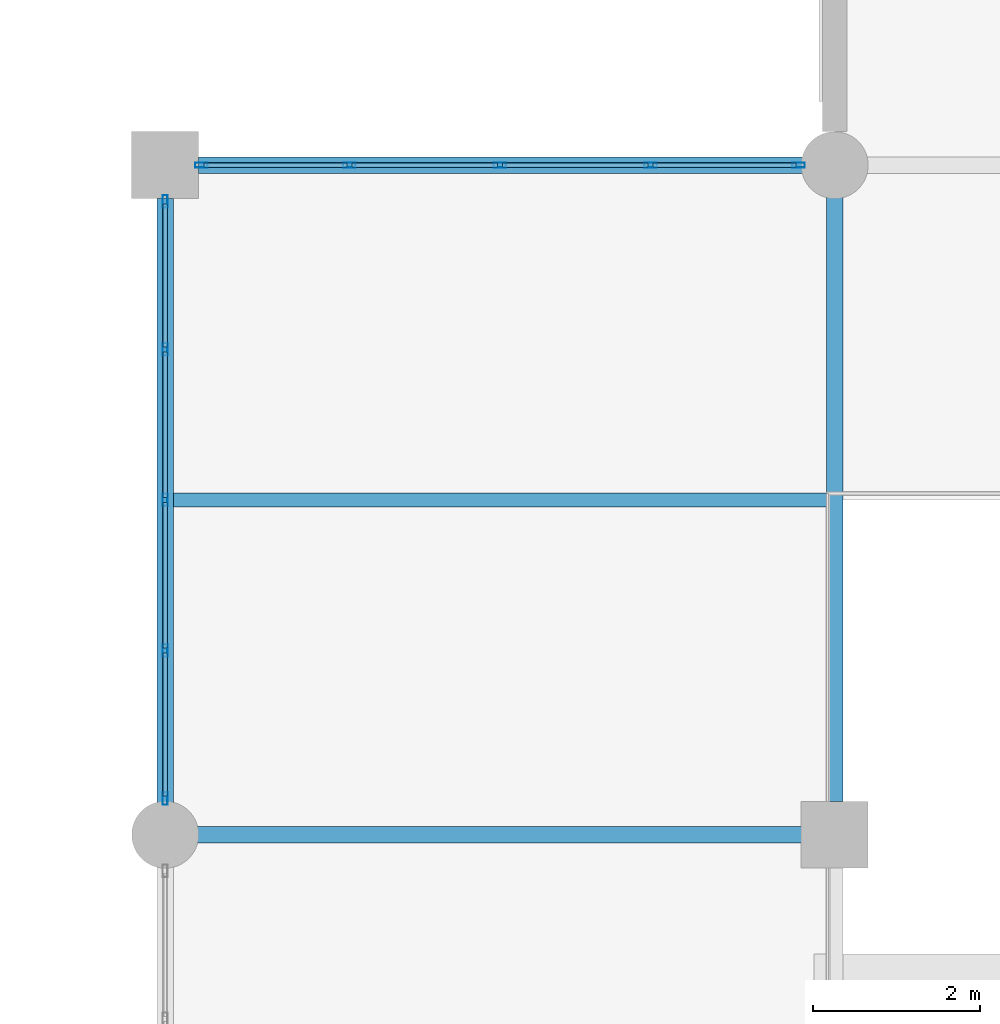
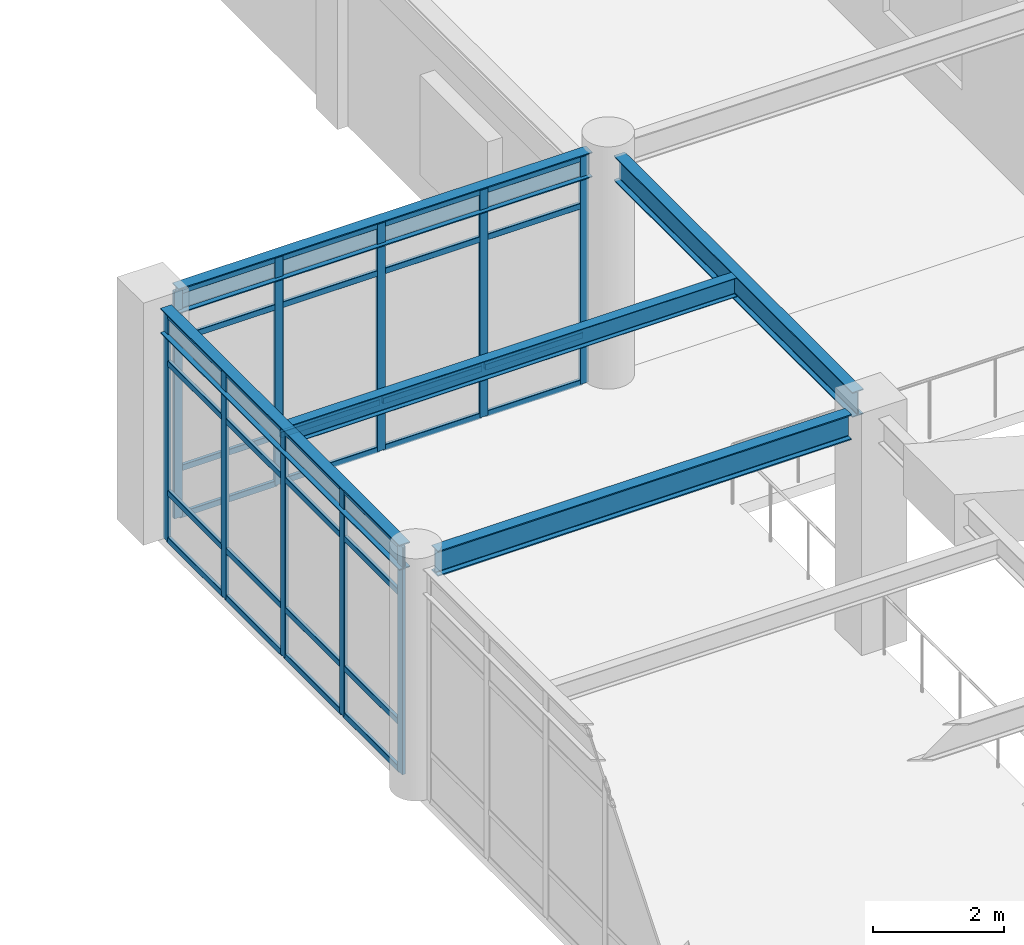
# One storey, part 35 of 78: 42 members, 5 beams, 2 elements without a shape of their own.
"""IFC4 building model written with IfcOpenShell, lengths in metres."""

from ifc_helpers import new_model, si_unit, direction, frame, origin, origin_2d, place, context, subcontext, project, spatial, hollow_rectangle, i_section, extrude, material, material_profile, profile_set, type_object, element, aggregate, save


model = new_model("IFC4")

# Units and contexts
model_context = context("Model", 3, precision=1e-05, world=origin(), true_north=direction((0.0, 1.0)))
body_context = subcontext(model_context, "Body", "Model", "MODEL_VIEW")
ifc_project = project(units=[si_unit("LENGTHUNIT", "METRE"), si_unit("AREAUNIT", "SQUARE_METRE"), si_unit("VOLUMEUNIT", "CUBIC_METRE"), si_unit("PLANEANGLEUNIT", "RADIAN"), si_unit("MASSUNIT", "GRAM", prefix="KILO")], contexts=[model_context])

# Site, building, storey
site_placement = place(None, origin())
site = spatial("IfcSite", under=ifc_project, at=site_placement, CompositionType="ELEMENT")
building_placement = place(site_placement, origin())
building = spatial("IfcBuilding", under=site, at=building_placement, Name="Solmirada Galleria", CompositionType="ELEMENT")
storey_placement = place(building_placement, frame((0.0, 0.0, 23.89990234375)))
storey = spatial("IfcBuildingStorey", under=building, at=storey_placement, Name="L05", CompositionType="ELEMENT", Elevation=23.89990234375)

# Beams
ifc_material_1 = material(Name="Steel S355 / ASTM A992 Grade 50", Category="steel")
ifc_material_profile_1 = material_profile(ifc_material_1, i_section(OverallWidth=0.194091796875, OverallDepth=0.468994140625, WebThickness=0.0126953125, FlangeThickness=0.0205078125, FilletRadius=0.013916015625, at=origin_2d()), Name="W18X71")
ifc_profile_set_1 = profile_set([ifc_material_profile_1], Name="Steel S355 / ASTM A992 Grade 50")
beam_type_1 = type_object("IfcBeamType", Name="BM-GIRD-W18B", PredefinedType="BEAM", material=ifc_profile_set_1)
beam_1_placement = place(storey_placement, frame((80.3359375, 64.0, 4.065673828125), z_axis=(1.0, 0.0, 0.0), x_axis=(0.0, 1.0, 0.0)))
element("IfcBeam", 1, at=beam_1_placement, inside=storey, type_object=beam_type_1, Name="Primary beam L06 X(80..88, 64)", PredefinedType="BEAM", context=body_context, shape_type="SweptSolid", body=[
    extrude(i_section(OverallWidth=0.194091796875, OverallDepth=0.468994140625, WebThickness=0.0126953125, FlangeThickness=0.0205078125, FilletRadius=0.013916015625, at=origin_2d()), origin(), (0.0, 0.0, 1.0), 7.26416015625),
])
ifc_material_profile_2 = material_profile(ifc_material_1, i_section(OverallWidth=0.193115234375, OverallDepth=0.466064453125, WebThickness=0.011474609375, FlangeThickness=0.01904296875, FilletRadius=0.013916015625, at=origin_2d()), Name="W18X65")
ifc_profile_set_2 = profile_set([ifc_material_profile_2], Name="Steel S355 / ASTM A992 Grade 50")
beam_type_2 = type_object("IfcBeamType", Name="BM-GIRD-W18C", PredefinedType="BEAM", material=ifc_profile_set_2)
for number, where, z_axis, x_axis, name in (
    (2, (80.39990234375, 72.0, 4.067138671875), (1.0, 0.0, 0.0), (0.0, 1.0, 0.0), "Primary beam L06 X(80..88, 72)"),
    (3, (80.0, 64.3359375, 4.067138671875), (0.0, 1.0, 0.0), (-1.0, 0.0, 0.0), "Primary girder L06 Y(80, 64..72)"),
    (4, (88.0, 64.39990234375, 4.067138671875), (0.0, 1.0, 0.0), (-1.0, 0.0, 0.0), "Primary girder L06 Y(88, 64..72)"),
):
    element("IfcBeam", number, at=place(storey_placement, frame(where, z_axis=z_axis, x_axis=x_axis)), inside=storey, type_object=beam_type_2, Name=name, PredefinedType="BEAM", context=body_context, shape_type="SweptSolid", body=[
        extrude(i_section(OverallWidth=0.193115234375, OverallDepth=0.466064453125, WebThickness=0.011474609375, FlangeThickness=0.01904296875, FilletRadius=0.013916015625, at=origin_2d()), origin(), (0.0, 0.0, 1.0), 7.26416015625),
    ])
ifc_material_profile_3 = material_profile(ifc_material_1, i_section(OverallWidth=0.1708984375, OverallDepth=0.35205078125, WebThickness=0.0068359375, FlangeThickness=0.009765625, FilletRadius=0.010986328125, at=origin_2d()), Name="W14X30")
ifc_profile_set_3 = profile_set([ifc_material_profile_3], Name="Steel S355 / ASTM A992 Grade 50")
beam_type_3 = type_object("IfcBeamType", Name="BM-JST-W14B", PredefinedType="JOIST", material=ifc_profile_set_3)
beam_2_placement = place(storey_placement, frame((80.096435546875, 68.0, 4.1240234375), z_axis=(1.0, 0.0, 0.0), x_axis=(0.0, 1.0, 0.0)))
element("IfcBeam", 5, at=beam_2_placement, inside=storey, type_object=beam_type_3, Name="Composite floor joist L06 (80..88, 68.0)", PredefinedType="JOIST", context=body_context, shape_type="SweptSolid", body=[
    extrude(i_section(OverallWidth=0.1708984375, OverallDepth=0.35205078125, WebThickness=0.0068359375, FlangeThickness=0.009765625, FilletRadius=0.010986328125, at=origin_2d()), origin(), (0.0, 0.0, 1.0), 7.80712890625),
])

# Curtain wall, members
ifc_material_2 = material(Name="Impact-resistant low-E double glazing", Category="glass")
curtain_wall_type = type_object("IfcCurtainWallType", Name="CW-FZ3-L05-B4-L072", PredefinedType="NOTDEFINED", material=ifc_material_2)
curtain_wall_1_placement = place(storey_placement, origin())
curtain_wall_1 = element("IfcCurtainWall", 6, at=curtain_wall_1_placement, inside=storey, type_object=curtain_wall_type, Name="Terrace and arcade storefront CW-L05-166", PredefinedType="NOTDEFINED")
ifc_material_3 = material(Name="Anodised aluminium framing", Category="aluminium")
ifc_material_profile_4 = material_profile(ifc_material_3, hollow_rectangle(XDim=0.06005859375, YDim=0.14990234375, WallThickness=0.00341796875, InnerFilletRadius=0.00341796875, OuterFilletRadius=0.007080078125, at=origin_2d()), Name="ALU-MULL-150X60")
ifc_profile_set_4 = profile_set([ifc_material_profile_4], Name="Anodised aluminium framing")
member_type_1 = type_object("IfcMemberType", Name="CW-MULL-150", PredefinedType="MULLION", material=ifc_profile_set_4)
member_1_placement = place(storey_placement, frame((80.0, 64.431884765625, 0.0), z_axis=(0.0, 0.0, 1.0), x_axis=(-1.0, 0.0, 0.0)))
member_1 = element("IfcMember", 7, at=member_1_placement, type_object=member_type_1, Name="CW33 mullion 1", PredefinedType="MULLION", context=body_context, shape_type="SweptSolid", body=[
    extrude(hollow_rectangle(XDim=0.06005859375, YDim=0.14990234375, WallThickness=0.00341796875, InnerFilletRadius=0.00341796875, OuterFilletRadius=0.007080078125, at=origin_2d()), origin(), (0.0, 0.0, 1.0), 4.22021484375),
])
member_2_placement = place(storey_placement, frame((80.0, 66.200927734375, 0.0), z_axis=(0.0, 0.0, 1.0), x_axis=(-1.0, 0.0, 0.0)))
member_2 = element("IfcMember", 8, at=member_2_placement, type_object=member_type_1, Name="CW33 mullion 2", PredefinedType="MULLION", context=body_context, shape_type="SweptSolid", body=[
    extrude(hollow_rectangle(XDim=0.06005859375, YDim=0.14990234375, WallThickness=0.00341796875, InnerFilletRadius=0.00341796875, OuterFilletRadius=0.007080078125, at=origin_2d()), origin(), (0.0, 0.0, 1.0), 4.22021484375),
])
member_3_placement = place(storey_placement, frame((80.0, 68.0, 0.0), z_axis=(0.0, 0.0, 1.0), x_axis=(-1.0, 0.0, 0.0)))
member_3 = element("IfcMember", 9, at=member_3_placement, type_object=member_type_1, Name="CW33 mullion 3", PredefinedType="MULLION", context=body_context, shape_type="SweptSolid", body=[
    extrude(hollow_rectangle(XDim=0.06005859375, YDim=0.14990234375, WallThickness=0.00341796875, InnerFilletRadius=0.00341796875, OuterFilletRadius=0.007080078125, at=origin_2d()), origin(), (0.0, 0.0, 1.0), 4.22021484375),
])
member_4_placement = place(storey_placement, frame((80.0, 69.799072265625, 0.0), z_axis=(0.0, 0.0, 1.0), x_axis=(-1.0, 0.0, 0.0)))
member_4 = element("IfcMember", 10, at=member_4_placement, type_object=member_type_1, Name="CW33 mullion 4", PredefinedType="MULLION", context=body_context, shape_type="SweptSolid", body=[
    extrude(hollow_rectangle(XDim=0.06005859375, YDim=0.14990234375, WallThickness=0.00341796875, InnerFilletRadius=0.00341796875, OuterFilletRadius=0.007080078125, at=origin_2d()), origin(), (0.0, 0.0, 1.0), 4.22021484375),
])
member_5_placement = place(storey_placement, frame((80.0, 71.568115234375, 0.0), z_axis=(0.0, 0.0, 1.0), x_axis=(-1.0, 0.0, 0.0)))
member_5 = element("IfcMember", 11, at=member_5_placement, type_object=member_type_1, Name="CW33 mullion 5", PredefinedType="MULLION", context=body_context, shape_type="SweptSolid", body=[
    extrude(hollow_rectangle(XDim=0.06005859375, YDim=0.14990234375, WallThickness=0.00341796875, InnerFilletRadius=0.00341796875, OuterFilletRadius=0.007080078125, at=origin_2d()), origin(), (0.0, 0.0, 1.0), 4.22021484375),
])

curtain_wall_2_placement = place(storey_placement, origin())
curtain_wall_2 = element("IfcCurtainWall", 12, at=curtain_wall_2_placement, inside=storey, type_object=curtain_wall_type, Name="Terrace and arcade storefront CW-L05-167", PredefinedType="NOTDEFINED")
member_6_placement = place(storey_placement, frame((80.431884765625, 72.0, 0.0), z_axis=(0.0, 0.0, 1.0), x_axis=(0.0, 1.0, 0.0)))
member_6 = element("IfcMember", 13, at=member_6_placement, type_object=member_type_1, Name="CW33 mullion 1", PredefinedType="MULLION", context=body_context, shape_type="SweptSolid", body=[
    extrude(hollow_rectangle(XDim=0.06005859375, YDim=0.14990234375, WallThickness=0.00341796875, InnerFilletRadius=0.00341796875, OuterFilletRadius=0.007080078125, at=origin_2d()), origin(), (0.0, 0.0, 1.0), 4.22021484375),
])
member_7_placement = place(storey_placement, frame((82.200927734375, 72.0, 0.0), z_axis=(0.0, 0.0, 1.0), x_axis=(0.0, 1.0, 0.0)))
member_7 = element("IfcMember", 14, at=member_7_placement, type_object=member_type_1, Name="CW33 mullion 2", PredefinedType="MULLION", context=body_context, shape_type="SweptSolid", body=[
    extrude(hollow_rectangle(XDim=0.06005859375, YDim=0.14990234375, WallThickness=0.00341796875, InnerFilletRadius=0.00341796875, OuterFilletRadius=0.007080078125, at=origin_2d()), origin(), (0.0, 0.0, 1.0), 4.22021484375),
])
member_8_placement = place(storey_placement, frame((84.0, 72.0, 0.0), z_axis=(0.0, 0.0, 1.0), x_axis=(0.0, 1.0, 0.0)))
member_8 = element("IfcMember", 15, at=member_8_placement, type_object=member_type_1, Name="CW33 mullion 3", PredefinedType="MULLION", context=body_context, shape_type="SweptSolid", body=[
    extrude(hollow_rectangle(XDim=0.06005859375, YDim=0.14990234375, WallThickness=0.00341796875, InnerFilletRadius=0.00341796875, OuterFilletRadius=0.007080078125, at=origin_2d()), origin(), (0.0, 0.0, 1.0), 4.22021484375),
])
member_9_placement = place(storey_placement, frame((85.799072265625, 72.0, 0.0), z_axis=(0.0, 0.0, 1.0), x_axis=(0.0, 1.0, 0.0)))
member_9 = element("IfcMember", 16, at=member_9_placement, type_object=member_type_1, Name="CW33 mullion 4", PredefinedType="MULLION", context=body_context, shape_type="SweptSolid", body=[
    extrude(hollow_rectangle(XDim=0.06005859375, YDim=0.14990234375, WallThickness=0.00341796875, InnerFilletRadius=0.00341796875, OuterFilletRadius=0.007080078125, at=origin_2d()), origin(), (0.0, 0.0, 1.0), 4.22021484375),
])
member_10_placement = place(storey_placement, frame((87.568115234375, 72.0, 0.0), z_axis=(0.0, 0.0, 1.0), x_axis=(0.0, 1.0, 0.0)))
member_10 = element("IfcMember", 17, at=member_10_placement, type_object=member_type_1, Name="CW33 mullion 5", PredefinedType="MULLION", context=body_context, shape_type="SweptSolid", body=[
    extrude(hollow_rectangle(XDim=0.06005859375, YDim=0.14990234375, WallThickness=0.00341796875, InnerFilletRadius=0.00341796875, OuterFilletRadius=0.007080078125, at=origin_2d()), origin(), (0.0, 0.0, 1.0), 4.22021484375),
])

# Member
ifc_material_profile_5 = material_profile(ifc_material_3, hollow_rectangle(XDim=0.06005859375, YDim=0.110107421875, WallThickness=0.003173828125, InnerFilletRadius=0.003173828125, OuterFilletRadius=0.00634765625, at=origin_2d()), Name="ALU-TRAN-110X60")
ifc_profile_set_5 = profile_set([ifc_material_profile_5], Name="Anodised aluminium framing")
member_type_2 = type_object("IfcMemberType", Name="CW-TRAN-110", PredefinedType="USERDEFINED", material=ifc_profile_set_5)
member_11_placement = place(storey_placement, frame((80.0, 64.4619140625, 0.030029296875), z_axis=(0.0, 1.0, 0.0), x_axis=(-1.0, 0.0, 0.0)))
member_11 = element("IfcMember", 18, at=member_11_placement, type_object=member_type_2, Name="CW33 transom 1.1", ObjectType="TRANSOM", PredefinedType="USERDEFINED", context=body_context, shape_type="SweptSolid", body=[
    extrude(hollow_rectangle(XDim=0.06005859375, YDim=0.110107421875, WallThickness=0.003173828125, InnerFilletRadius=0.003173828125, OuterFilletRadius=0.00634765625, at=origin_2d()), origin(), (0.0, 0.0, 1.0), 1.708984375),
])

member_12_placement = place(storey_placement, frame((80.0, 64.4619140625, 0.900146484375), z_axis=(0.0, 1.0, 0.0), x_axis=(-1.0, 0.0, 0.0)))
member_12 = element("IfcMember", 19, at=member_12_placement, type_object=member_type_2, Name="CW33 transom 1.2", ObjectType="TRANSOM", PredefinedType="USERDEFINED", context=body_context, shape_type="SweptSolid", body=[
    extrude(hollow_rectangle(XDim=0.06005859375, YDim=0.110107421875, WallThickness=0.003173828125, InnerFilletRadius=0.003173828125, OuterFilletRadius=0.00634765625, at=origin_2d()), origin(), (0.0, 0.0, 1.0), 1.708984375),
])

member_13_placement = place(storey_placement, frame((80.0, 64.4619140625, 3.31005859375), z_axis=(0.0, 1.0, 0.0), x_axis=(-1.0, 0.0, 0.0)))
member_13 = element("IfcMember", 20, at=member_13_placement, type_object=member_type_2, Name="CW33 transom 1.3", ObjectType="TRANSOM", PredefinedType="USERDEFINED", context=body_context, shape_type="SweptSolid", body=[
    extrude(hollow_rectangle(XDim=0.06005859375, YDim=0.110107421875, WallThickness=0.003173828125, InnerFilletRadius=0.003173828125, OuterFilletRadius=0.00634765625, at=origin_2d()), origin(), (0.0, 0.0, 1.0), 1.708984375),
])

member_14_placement = place(storey_placement, frame((80.0, 64.4619140625, 4.190185546875), z_axis=(0.0, 1.0, 0.0), x_axis=(-1.0, 0.0, 0.0)))
member_14 = element("IfcMember", 21, at=member_14_placement, type_object=member_type_2, Name="CW33 transom 1.4", ObjectType="TRANSOM", PredefinedType="USERDEFINED", context=body_context, shape_type="SweptSolid", body=[
    extrude(hollow_rectangle(XDim=0.06005859375, YDim=0.110107421875, WallThickness=0.003173828125, InnerFilletRadius=0.003173828125, OuterFilletRadius=0.00634765625, at=origin_2d()), origin(), (0.0, 0.0, 1.0), 1.708984375),
])

member_15_placement = place(storey_placement, frame((80.0, 66.23095703125, 0.030029296875), z_axis=(0.0, 1.0, 0.0), x_axis=(-1.0, 0.0, 0.0)))
member_15 = element("IfcMember", 22, at=member_15_placement, type_object=member_type_2, Name="CW33 transom 2.1", ObjectType="TRANSOM", PredefinedType="USERDEFINED", context=body_context, shape_type="SweptSolid", body=[
    extrude(hollow_rectangle(XDim=0.06005859375, YDim=0.110107421875, WallThickness=0.003173828125, InnerFilletRadius=0.003173828125, OuterFilletRadius=0.00634765625, at=origin_2d()), origin(), (0.0, 0.0, 1.0), 1.739013671875),
])

member_16_placement = place(storey_placement, frame((80.0, 66.23095703125, 0.900146484375), z_axis=(0.0, 1.0, 0.0), x_axis=(-1.0, 0.0, 0.0)))
member_16 = element("IfcMember", 23, at=member_16_placement, type_object=member_type_2, Name="CW33 transom 2.2", ObjectType="TRANSOM", PredefinedType="USERDEFINED", context=body_context, shape_type="SweptSolid", body=[
    extrude(hollow_rectangle(XDim=0.06005859375, YDim=0.110107421875, WallThickness=0.003173828125, InnerFilletRadius=0.003173828125, OuterFilletRadius=0.00634765625, at=origin_2d()), origin(), (0.0, 0.0, 1.0), 1.739013671875),
])

member_17_placement = place(storey_placement, frame((80.0, 66.23095703125, 3.31005859375), z_axis=(0.0, 1.0, 0.0), x_axis=(-1.0, 0.0, 0.0)))
member_17 = element("IfcMember", 24, at=member_17_placement, type_object=member_type_2, Name="CW33 transom 2.3", ObjectType="TRANSOM", PredefinedType="USERDEFINED", context=body_context, shape_type="SweptSolid", body=[
    extrude(hollow_rectangle(XDim=0.06005859375, YDim=0.110107421875, WallThickness=0.003173828125, InnerFilletRadius=0.003173828125, OuterFilletRadius=0.00634765625, at=origin_2d()), origin(), (0.0, 0.0, 1.0), 1.739013671875),
])

member_18_placement = place(storey_placement, frame((80.0, 66.23095703125, 4.190185546875), z_axis=(0.0, 1.0, 0.0), x_axis=(-1.0, 0.0, 0.0)))
member_18 = element("IfcMember", 25, at=member_18_placement, type_object=member_type_2, Name="CW33 transom 2.4", ObjectType="TRANSOM", PredefinedType="USERDEFINED", context=body_context, shape_type="SweptSolid", body=[
    extrude(hollow_rectangle(XDim=0.06005859375, YDim=0.110107421875, WallThickness=0.003173828125, InnerFilletRadius=0.003173828125, OuterFilletRadius=0.00634765625, at=origin_2d()), origin(), (0.0, 0.0, 1.0), 1.739013671875),
])

member_19_placement = place(storey_placement, frame((80.0, 68.030029296875, 0.030029296875), z_axis=(0.0, 1.0, 0.0), x_axis=(-1.0, 0.0, 0.0)))
member_19 = element("IfcMember", 26, at=member_19_placement, type_object=member_type_2, Name="CW33 transom 3.1", ObjectType="TRANSOM", PredefinedType="USERDEFINED", context=body_context, shape_type="SweptSolid", body=[
    extrude(hollow_rectangle(XDim=0.06005859375, YDim=0.110107421875, WallThickness=0.003173828125, InnerFilletRadius=0.003173828125, OuterFilletRadius=0.00634765625, at=origin_2d()), origin(), (0.0, 0.0, 1.0), 1.739013671875),
])

member_20_placement = place(storey_placement, frame((80.0, 68.030029296875, 0.900146484375), z_axis=(0.0, 1.0, 0.0), x_axis=(-1.0, 0.0, 0.0)))
member_20 = element("IfcMember", 27, at=member_20_placement, type_object=member_type_2, Name="CW33 transom 3.2", ObjectType="TRANSOM", PredefinedType="USERDEFINED", context=body_context, shape_type="SweptSolid", body=[
    extrude(hollow_rectangle(XDim=0.06005859375, YDim=0.110107421875, WallThickness=0.003173828125, InnerFilletRadius=0.003173828125, OuterFilletRadius=0.00634765625, at=origin_2d()), origin(), (0.0, 0.0, 1.0), 1.739013671875),
])

member_21_placement = place(storey_placement, frame((80.0, 68.030029296875, 3.31005859375), z_axis=(0.0, 1.0, 0.0), x_axis=(-1.0, 0.0, 0.0)))
member_21 = element("IfcMember", 28, at=member_21_placement, type_object=member_type_2, Name="CW33 transom 3.3", ObjectType="TRANSOM", PredefinedType="USERDEFINED", context=body_context, shape_type="SweptSolid", body=[
    extrude(hollow_rectangle(XDim=0.06005859375, YDim=0.110107421875, WallThickness=0.003173828125, InnerFilletRadius=0.003173828125, OuterFilletRadius=0.00634765625, at=origin_2d()), origin(), (0.0, 0.0, 1.0), 1.739013671875),
])

member_22_placement = place(storey_placement, frame((80.0, 68.030029296875, 4.190185546875), z_axis=(0.0, 1.0, 0.0), x_axis=(-1.0, 0.0, 0.0)))
member_22 = element("IfcMember", 29, at=member_22_placement, type_object=member_type_2, Name="CW33 transom 3.4", ObjectType="TRANSOM", PredefinedType="USERDEFINED", context=body_context, shape_type="SweptSolid", body=[
    extrude(hollow_rectangle(XDim=0.06005859375, YDim=0.110107421875, WallThickness=0.003173828125, InnerFilletRadius=0.003173828125, OuterFilletRadius=0.00634765625, at=origin_2d()), origin(), (0.0, 0.0, 1.0), 1.739013671875),
])

member_23_placement = place(storey_placement, frame((80.0, 69.8291015625, 0.030029296875), z_axis=(0.0, 1.0, 0.0), x_axis=(-1.0, 0.0, 0.0)))
member_23 = element("IfcMember", 30, at=member_23_placement, type_object=member_type_2, Name="CW33 transom 4.1", ObjectType="TRANSOM", PredefinedType="USERDEFINED", context=body_context, shape_type="SweptSolid", body=[
    extrude(hollow_rectangle(XDim=0.06005859375, YDim=0.110107421875, WallThickness=0.003173828125, InnerFilletRadius=0.003173828125, OuterFilletRadius=0.00634765625, at=origin_2d()), origin(), (0.0, 0.0, 1.0), 1.708984375),
])

member_24_placement = place(storey_placement, frame((80.0, 69.8291015625, 0.900146484375), z_axis=(0.0, 1.0, 0.0), x_axis=(-1.0, 0.0, 0.0)))
member_24 = element("IfcMember", 31, at=member_24_placement, type_object=member_type_2, Name="CW33 transom 4.2", ObjectType="TRANSOM", PredefinedType="USERDEFINED", context=body_context, shape_type="SweptSolid", body=[
    extrude(hollow_rectangle(XDim=0.06005859375, YDim=0.110107421875, WallThickness=0.003173828125, InnerFilletRadius=0.003173828125, OuterFilletRadius=0.00634765625, at=origin_2d()), origin(), (0.0, 0.0, 1.0), 1.708984375),
])

member_25_placement = place(storey_placement, frame((80.0, 69.8291015625, 3.31005859375), z_axis=(0.0, 1.0, 0.0), x_axis=(-1.0, 0.0, 0.0)))
member_25 = element("IfcMember", 32, at=member_25_placement, type_object=member_type_2, Name="CW33 transom 4.3", ObjectType="TRANSOM", PredefinedType="USERDEFINED", context=body_context, shape_type="SweptSolid", body=[
    extrude(hollow_rectangle(XDim=0.06005859375, YDim=0.110107421875, WallThickness=0.003173828125, InnerFilletRadius=0.003173828125, OuterFilletRadius=0.00634765625, at=origin_2d()), origin(), (0.0, 0.0, 1.0), 1.708984375),
])

member_26_placement = place(storey_placement, frame((80.0, 69.8291015625, 4.190185546875), z_axis=(0.0, 1.0, 0.0), x_axis=(-1.0, 0.0, 0.0)))
member_26 = element("IfcMember", 33, at=member_26_placement, type_object=member_type_2, Name="CW33 transom 4.4", ObjectType="TRANSOM", PredefinedType="USERDEFINED", context=body_context, shape_type="SweptSolid", body=[
    extrude(hollow_rectangle(XDim=0.06005859375, YDim=0.110107421875, WallThickness=0.003173828125, InnerFilletRadius=0.003173828125, OuterFilletRadius=0.00634765625, at=origin_2d()), origin(), (0.0, 0.0, 1.0), 1.708984375),
])

aggregate(curtain_wall_1, [member_1, member_2, member_3, member_4, member_5, member_11, member_12, member_13, member_14, member_15, member_16, member_17, member_18, member_19, member_20, member_21, member_22, member_23, member_24, member_25, member_26])

member_27_placement = place(storey_placement, frame((80.4619140625, 72.0, 0.030029296875), z_axis=(1.0, 0.0, 0.0), x_axis=(0.0, 1.0, 0.0)))
member_27 = element("IfcMember", 34, at=member_27_placement, type_object=member_type_2, Name="CW33 transom 1.1", ObjectType="TRANSOM", PredefinedType="USERDEFINED", context=body_context, shape_type="SweptSolid", body=[
    extrude(hollow_rectangle(XDim=0.06005859375, YDim=0.110107421875, WallThickness=0.003173828125, InnerFilletRadius=0.003173828125, OuterFilletRadius=0.00634765625, at=origin_2d()), origin(), (0.0, 0.0, 1.0), 1.708984375),
])

member_28_placement = place(storey_placement, frame((80.4619140625, 72.0, 0.900146484375), z_axis=(1.0, 0.0, 0.0), x_axis=(0.0, 1.0, 0.0)))
member_28 = element("IfcMember", 35, at=member_28_placement, type_object=member_type_2, Name="CW33 transom 1.2", ObjectType="TRANSOM", PredefinedType="USERDEFINED", context=body_context, shape_type="SweptSolid", body=[
    extrude(hollow_rectangle(XDim=0.06005859375, YDim=0.110107421875, WallThickness=0.003173828125, InnerFilletRadius=0.003173828125, OuterFilletRadius=0.00634765625, at=origin_2d()), origin(), (0.0, 0.0, 1.0), 1.708984375),
])

member_29_placement = place(storey_placement, frame((80.4619140625, 72.0, 3.31005859375), z_axis=(1.0, 0.0, 0.0), x_axis=(0.0, 1.0, 0.0)))
member_29 = element("IfcMember", 36, at=member_29_placement, type_object=member_type_2, Name="CW33 transom 1.3", ObjectType="TRANSOM", PredefinedType="USERDEFINED", context=body_context, shape_type="SweptSolid", body=[
    extrude(hollow_rectangle(XDim=0.06005859375, YDim=0.110107421875, WallThickness=0.003173828125, InnerFilletRadius=0.003173828125, OuterFilletRadius=0.00634765625, at=origin_2d()), origin(), (0.0, 0.0, 1.0), 1.708984375),
])

member_30_placement = place(storey_placement, frame((80.4619140625, 72.0, 4.190185546875), z_axis=(1.0, 0.0, 0.0), x_axis=(0.0, 1.0, 0.0)))
member_30 = element("IfcMember", 37, at=member_30_placement, type_object=member_type_2, Name="CW33 transom 1.4", ObjectType="TRANSOM", PredefinedType="USERDEFINED", context=body_context, shape_type="SweptSolid", body=[
    extrude(hollow_rectangle(XDim=0.06005859375, YDim=0.110107421875, WallThickness=0.003173828125, InnerFilletRadius=0.003173828125, OuterFilletRadius=0.00634765625, at=origin_2d()), origin(), (0.0, 0.0, 1.0), 1.708984375),
])

member_31_placement = place(storey_placement, frame((82.23095703125, 72.0, 0.030029296875), z_axis=(1.0, 0.0, 0.0), x_axis=(0.0, 1.0, 0.0)))
member_31 = element("IfcMember", 38, at=member_31_placement, type_object=member_type_2, Name="CW33 transom 2.1", ObjectType="TRANSOM", PredefinedType="USERDEFINED", context=body_context, shape_type="SweptSolid", body=[
    extrude(hollow_rectangle(XDim=0.06005859375, YDim=0.110107421875, WallThickness=0.003173828125, InnerFilletRadius=0.003173828125, OuterFilletRadius=0.00634765625, at=origin_2d()), origin(), (0.0, 0.0, 1.0), 1.739013671875),
])

member_32_placement = place(storey_placement, frame((82.23095703125, 72.0, 0.900146484375), z_axis=(1.0, 0.0, 0.0), x_axis=(0.0, 1.0, 0.0)))
member_32 = element("IfcMember", 39, at=member_32_placement, type_object=member_type_2, Name="CW33 transom 2.2", ObjectType="TRANSOM", PredefinedType="USERDEFINED", context=body_context, shape_type="SweptSolid", body=[
    extrude(hollow_rectangle(XDim=0.06005859375, YDim=0.110107421875, WallThickness=0.003173828125, InnerFilletRadius=0.003173828125, OuterFilletRadius=0.00634765625, at=origin_2d()), origin(), (0.0, 0.0, 1.0), 1.739013671875),
])

member_33_placement = place(storey_placement, frame((82.23095703125, 72.0, 3.31005859375), z_axis=(1.0, 0.0, 0.0), x_axis=(0.0, 1.0, 0.0)))
member_33 = element("IfcMember", 40, at=member_33_placement, type_object=member_type_2, Name="CW33 transom 2.3", ObjectType="TRANSOM", PredefinedType="USERDEFINED", context=body_context, shape_type="SweptSolid", body=[
    extrude(hollow_rectangle(XDim=0.06005859375, YDim=0.110107421875, WallThickness=0.003173828125, InnerFilletRadius=0.003173828125, OuterFilletRadius=0.00634765625, at=origin_2d()), origin(), (0.0, 0.0, 1.0), 1.739013671875),
])

member_34_placement = place(storey_placement, frame((82.23095703125, 72.0, 4.190185546875), z_axis=(1.0, 0.0, 0.0), x_axis=(0.0, 1.0, 0.0)))
member_34 = element("IfcMember", 41, at=member_34_placement, type_object=member_type_2, Name="CW33 transom 2.4", ObjectType="TRANSOM", PredefinedType="USERDEFINED", context=body_context, shape_type="SweptSolid", body=[
    extrude(hollow_rectangle(XDim=0.06005859375, YDim=0.110107421875, WallThickness=0.003173828125, InnerFilletRadius=0.003173828125, OuterFilletRadius=0.00634765625, at=origin_2d()), origin(), (0.0, 0.0, 1.0), 1.739013671875),
])

member_35_placement = place(storey_placement, frame((84.030029296875, 72.0, 0.030029296875), z_axis=(1.0, 0.0, 0.0), x_axis=(0.0, 1.0, 0.0)))
member_35 = element("IfcMember", 42, at=member_35_placement, type_object=member_type_2, Name="CW33 transom 3.1", ObjectType="TRANSOM", PredefinedType="USERDEFINED", context=body_context, shape_type="SweptSolid", body=[
    extrude(hollow_rectangle(XDim=0.06005859375, YDim=0.110107421875, WallThickness=0.003173828125, InnerFilletRadius=0.003173828125, OuterFilletRadius=0.00634765625, at=origin_2d()), origin(), (0.0, 0.0, 1.0), 1.739013671875),
])

member_36_placement = place(storey_placement, frame((84.030029296875, 72.0, 0.900146484375), z_axis=(1.0, 0.0, 0.0), x_axis=(0.0, 1.0, 0.0)))
member_36 = element("IfcMember", 43, at=member_36_placement, type_object=member_type_2, Name="CW33 transom 3.2", ObjectType="TRANSOM", PredefinedType="USERDEFINED", context=body_context, shape_type="SweptSolid", body=[
    extrude(hollow_rectangle(XDim=0.06005859375, YDim=0.110107421875, WallThickness=0.003173828125, InnerFilletRadius=0.003173828125, OuterFilletRadius=0.00634765625, at=origin_2d()), origin(), (0.0, 0.0, 1.0), 1.739013671875),
])

member_37_placement = place(storey_placement, frame((84.030029296875, 72.0, 3.31005859375), z_axis=(1.0, 0.0, 0.0), x_axis=(0.0, 1.0, 0.0)))
member_37 = element("IfcMember", 44, at=member_37_placement, type_object=member_type_2, Name="CW33 transom 3.3", ObjectType="TRANSOM", PredefinedType="USERDEFINED", context=body_context, shape_type="SweptSolid", body=[
    extrude(hollow_rectangle(XDim=0.06005859375, YDim=0.110107421875, WallThickness=0.003173828125, InnerFilletRadius=0.003173828125, OuterFilletRadius=0.00634765625, at=origin_2d()), origin(), (0.0, 0.0, 1.0), 1.739013671875),
])

member_38_placement = place(storey_placement, frame((84.030029296875, 72.0, 4.190185546875), z_axis=(1.0, 0.0, 0.0), x_axis=(0.0, 1.0, 0.0)))
member_38 = element("IfcMember", 45, at=member_38_placement, type_object=member_type_2, Name="CW33 transom 3.4", ObjectType="TRANSOM", PredefinedType="USERDEFINED", context=body_context, shape_type="SweptSolid", body=[
    extrude(hollow_rectangle(XDim=0.06005859375, YDim=0.110107421875, WallThickness=0.003173828125, InnerFilletRadius=0.003173828125, OuterFilletRadius=0.00634765625, at=origin_2d()), origin(), (0.0, 0.0, 1.0), 1.739013671875),
])

member_39_placement = place(storey_placement, frame((85.8291015625, 72.0, 0.030029296875), z_axis=(1.0, 0.0, 0.0), x_axis=(0.0, 1.0, 0.0)))
member_39 = element("IfcMember", 46, at=member_39_placement, type_object=member_type_2, Name="CW33 transom 4.1", ObjectType="TRANSOM", PredefinedType="USERDEFINED", context=body_context, shape_type="SweptSolid", body=[
    extrude(hollow_rectangle(XDim=0.06005859375, YDim=0.110107421875, WallThickness=0.003173828125, InnerFilletRadius=0.003173828125, OuterFilletRadius=0.00634765625, at=origin_2d()), origin(), (0.0, 0.0, 1.0), 1.708984375),
])

member_40_placement = place(storey_placement, frame((85.8291015625, 72.0, 0.900146484375), z_axis=(1.0, 0.0, 0.0), x_axis=(0.0, 1.0, 0.0)))
member_40 = element("IfcMember", 47, at=member_40_placement, type_object=member_type_2, Name="CW33 transom 4.2", ObjectType="TRANSOM", PredefinedType="USERDEFINED", context=body_context, shape_type="SweptSolid", body=[
    extrude(hollow_rectangle(XDim=0.06005859375, YDim=0.110107421875, WallThickness=0.003173828125, InnerFilletRadius=0.003173828125, OuterFilletRadius=0.00634765625, at=origin_2d()), origin(), (0.0, 0.0, 1.0), 1.708984375),
])

member_41_placement = place(storey_placement, frame((85.8291015625, 72.0, 3.31005859375), z_axis=(1.0, 0.0, 0.0), x_axis=(0.0, 1.0, 0.0)))
member_41 = element("IfcMember", 48, at=member_41_placement, type_object=member_type_2, Name="CW33 transom 4.3", ObjectType="TRANSOM", PredefinedType="USERDEFINED", context=body_context, shape_type="SweptSolid", body=[
    extrude(hollow_rectangle(XDim=0.06005859375, YDim=0.110107421875, WallThickness=0.003173828125, InnerFilletRadius=0.003173828125, OuterFilletRadius=0.00634765625, at=origin_2d()), origin(), (0.0, 0.0, 1.0), 1.708984375),
])

member_42_placement = place(storey_placement, frame((85.8291015625, 72.0, 4.190185546875), z_axis=(1.0, 0.0, 0.0), x_axis=(0.0, 1.0, 0.0)))
member_42 = element("IfcMember", 49, at=member_42_placement, type_object=member_type_2, Name="CW33 transom 4.4", ObjectType="TRANSOM", PredefinedType="USERDEFINED", context=body_context, shape_type="SweptSolid", body=[
    extrude(hollow_rectangle(XDim=0.06005859375, YDim=0.110107421875, WallThickness=0.003173828125, InnerFilletRadius=0.003173828125, OuterFilletRadius=0.00634765625, at=origin_2d()), origin(), (0.0, 0.0, 1.0), 1.708984375),
])

aggregate(curtain_wall_2, [member_6, member_7, member_8, member_9, member_10, member_27, member_28, member_29, member_30, member_31, member_32, member_33, member_34, member_35, member_36, member_37, member_38, member_39, member_40, member_41, member_42])

save(model, "model.ifc")
